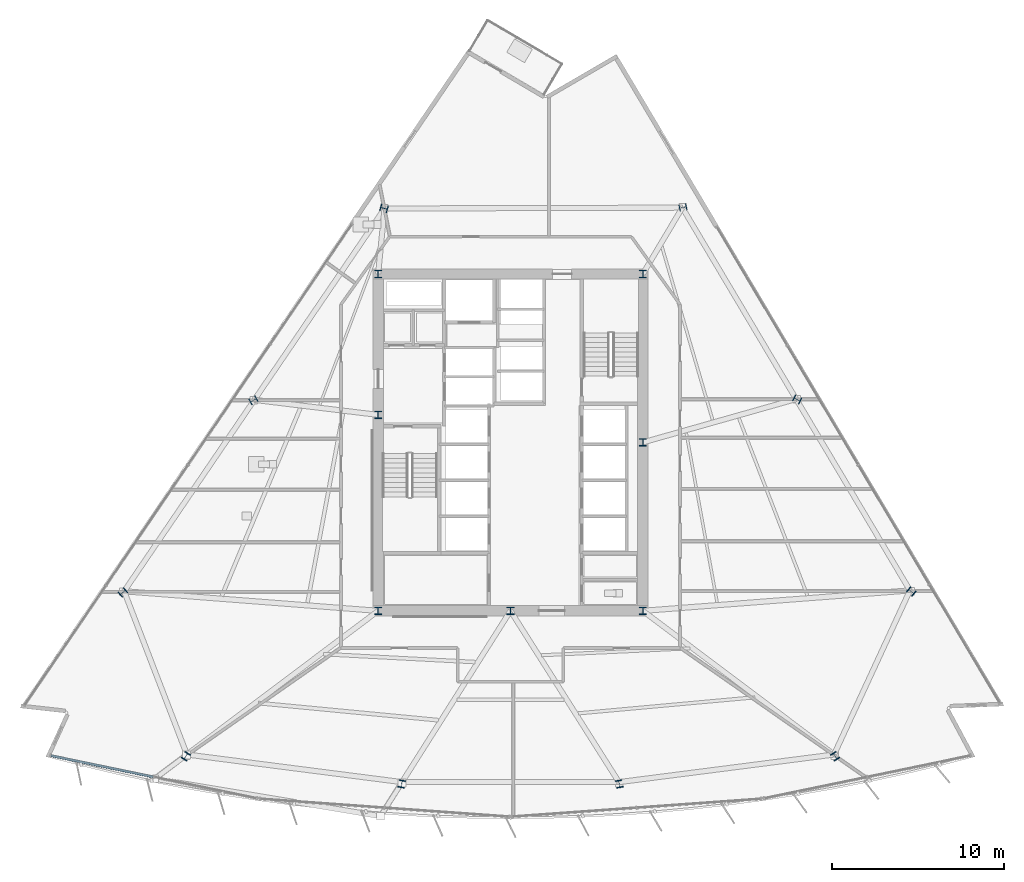
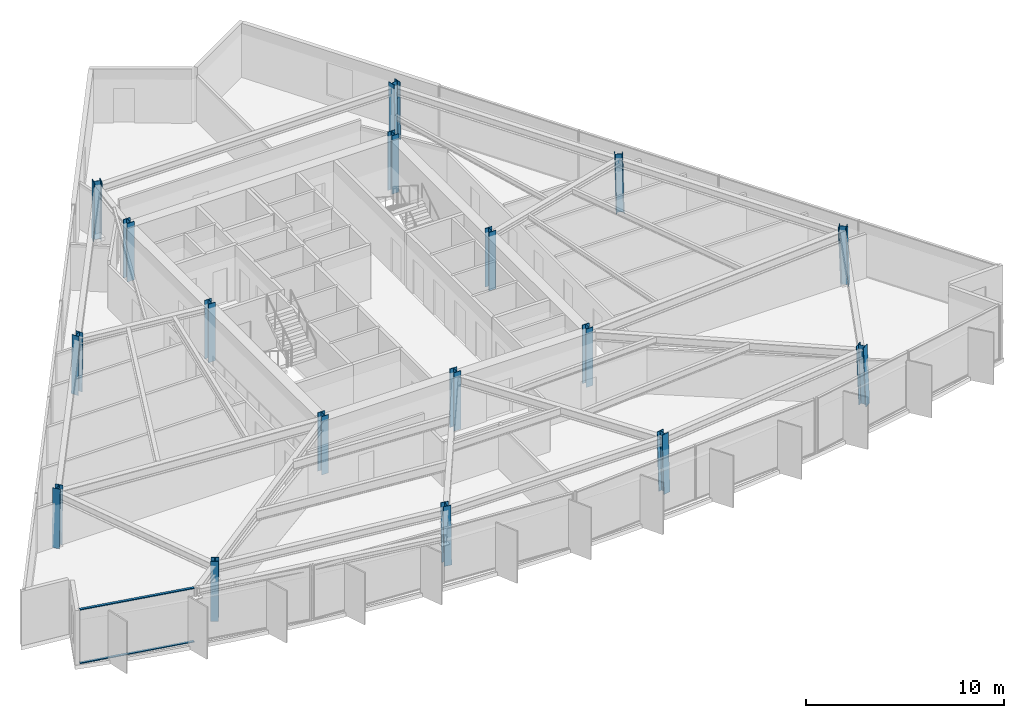
# One storey, part 1 of 15: 17 columns, 2 members, 1 element without a shape of its own.
"""IFC4 building model written with IfcOpenShell, lengths in metres."""

from ifc_helpers import new_model, si_unit, direction, frame, origin, origin_2d, place, context, subcontext, project, spatial, rectangle, i_section, extrude, material, material_profile, profile_set, type_object, element, aggregate, save


model = new_model("IFC4")

# Units and contexts
model_context = context("Model", 3, precision=1e-05, world=origin(), true_north=direction((0.0, 1.0)))
body_context = subcontext(model_context, "Body", "Model", "MODEL_VIEW")
ifc_project = project(units=[si_unit("LENGTHUNIT", "METRE"), si_unit("AREAUNIT", "SQUARE_METRE"), si_unit("VOLUMEUNIT", "CUBIC_METRE"), si_unit("PLANEANGLEUNIT", "RADIAN"), si_unit("MASSUNIT", "GRAM", prefix="KILO")], contexts=[model_context])

# Site, building, storey
site_placement = place(None, origin())
site = spatial("IfcSite", under=ifc_project, at=site_placement, CompositionType="ELEMENT")
building_placement = place(site_placement, origin())
building = spatial("IfcBuilding", under=site, at=building_placement, Name="Savorim Split Tower", CompositionType="ELEMENT")
storey_placement = place(building_placement, frame((0.0, 0.0, 100.5)))
storey = spatial("IfcBuildingStorey", under=building, at=storey_placement, Name="L26", CompositionType="ELEMENT", Elevation=100.5)

# Columns
ifc_material_1 = material(Name="Steel S460", Category="steel")
ifc_material_profile_1 = material_profile(ifc_material_1, i_section(OverallWidth=0.408935546875, OverallDepth=0.425048828125, WebThickness=0.020751953125, FlangeThickness=0.033935546875, FilletRadius=0.014892578125, at=origin_2d()), Name="HD 400x421")
ifc_profile_set_1 = profile_set([ifc_material_profile_1], Name="Steel S460")
column_type = type_object("IfcColumnType", Name="COL-HD-421", PredefinedType="COLUMN", material=ifc_profile_set_1)
for number, where, z_axis, x_axis, name in (
    (1, (-7.699951171875, -9.39990234375, 0.0), (0.0, 0.0, 1.0), (1.0, 0.0, 0.0), "L26 Core Structural Column TC-C1"),
    (2, (7.699951171875, -9.39990234375, 0.0), (0.0, 0.0, 1.0), (1.0, 0.0, 0.0), "L26 Core Structural Column TC-C2"),
    (3, (7.699951171875, 10.199951171875, 0.0), (0.0, 0.0, 1.0), (1.0, 0.0, 0.0), "L26 Core Structural Column TC-C3"),
    (4, (-7.699951171875, 10.199951171875, 0.0), (0.0, 0.0, 1.0), (1.0, 0.0, 0.0), "L26 Core Structural Column TC-C4"),
    (5, (0.0, -9.39990234375, 0.0), (0.0, 0.0, 1.0), (1.0, 0.0, 0.0), "L26 Core Structural Column TC-C5"),
    (6, (7.699951171875, 0.39990234375, 0.0), (0.0, 0.0, 1.0), (1.0, 0.0, 0.0), "L26 Core Structural Column TC-C6"),
    (7, (-7.699951171875, 2.0, 0.0), (0.0, 0.0, 1.0), (1.0, 0.0, 0.0), "L26 Core Structural Column TC-C7"),
):
    element("IfcColumn", number, at=place(storey_placement, frame(where, z_axis=z_axis, x_axis=x_axis)), inside=storey, type_object=column_type, Name=name, PredefinedType="COLUMN", context=body_context, shape_type="SweptSolid", body=[
        extrude(i_section(OverallWidth=0.408935546875, OverallDepth=0.425048828125, WebThickness=0.020751953125, FlangeThickness=0.033935546875, FilletRadius=0.014892578125, at=origin_2d()), origin(), (0.0, 0.0, 1.0), 3.60009765625),
    ])
column_1_placement = place(storey_placement, frame((-18.8994140625, -17.878662109375, 0.005615234375), z_axis=(0.020664238418, 0.033511412961, 0.999224686671), x_axis=(-0.851183725565, 0.524867855115, 0.0)))
element("IfcColumn", 8, at=column_1_placement, inside=storey, type_object=column_type, Name="L26 Tapered Perimeter Column PC-S1", PredefinedType="COLUMN", context=body_context, shape_type="SweptSolid", body=[
    extrude(i_section(OverallWidth=0.408935546875, OverallDepth=0.425048828125, WebThickness=0.020751953125, FlangeThickness=0.033935546875, FilletRadius=0.014892578125, at=origin_2d()), origin(), (0.0, 0.0, 1.0), 3.591552734375),
])
for number, where, z_axis, x_axis, name in (
    (9, (-6.333984375, -19.49169921875, 0.005615234375), (0.006866324617, 0.035215407439, 0.999356157066), (-0.981516643497, 0.191376797284, 0.0), "L26 Tapered Perimeter Column PC-S2"),
    (10, (6.333984375, -19.49169921875, 0.005615234375), (-0.006866324617, 0.035215407439, 0.999356157066), (-0.981516643497, -0.191376797284, 0.0), "L26 Tapered Perimeter Column PC-S3"),
):
    element("IfcColumn", number, at=place(storey_placement, frame(where, z_axis=z_axis, x_axis=x_axis)), inside=storey, type_object=column_type, Name=name, PredefinedType="COLUMN", context=body_context, shape_type="SweptSolid", body=[
        extrude(i_section(OverallWidth=0.408935546875, OverallDepth=0.425048828125, WebThickness=0.020751953125, FlangeThickness=0.033935546875, FilletRadius=0.014892578125, at=origin_2d()), origin(), (0.0, 0.0, 1.0), 3.591064453125),
    ])
column_2_placement = place(storey_placement, frame((18.8994140625, -17.878662109375, 0.005615234375), z_axis=(-0.020664238418, 0.033511412961, 0.999224686671), x_axis=(-0.851183725565, -0.524867855115, 0.0)))
element("IfcColumn", 11, at=column_2_placement, inside=storey, type_object=column_type, Name="L26 Tapered Perimeter Column PC-S4", PredefinedType="COLUMN", context=body_context, shape_type="SweptSolid", body=[
    extrude(i_section(OverallWidth=0.408935546875, OverallDepth=0.425048828125, WebThickness=0.020751953125, FlangeThickness=0.033935546875, FilletRadius=0.014892578125, at=origin_2d()), origin(), (0.0, 0.0, 1.0), 3.591552734375),
])
column_3_placement = place(storey_placement, frame((23.333984375, -8.288818359375, 0.005615234375), z_axis=(-0.026039494941, 0.021620259507, 0.999427090428), x_axis=(-0.638800249892, -0.769372628015, 0.0)))
element("IfcColumn", 12, at=column_3_placement, inside=storey, type_object=column_type, Name="L26 Tapered Perimeter Column PC-E1", PredefinedType="COLUMN", context=body_context, shape_type="SweptSolid", body=[
    extrude(i_section(OverallWidth=0.408935546875, OverallDepth=0.425048828125, WebThickness=0.020751953125, FlangeThickness=0.033935546875, FilletRadius=0.014892578125, at=origin_2d()), origin(), (0.0, 0.0, 1.0), 3.5908203125),
])
column_4_placement = place(storey_placement, frame((16.687255859375, 2.88916015625, 0.005615234375), z_axis=(-0.018907314261, 0.009589680974, 0.999775250487), x_axis=(-0.452339157861, -0.891845999187, 0.0)))
element("IfcColumn", 13, at=column_4_placement, inside=storey, type_object=column_type, Name="L26 Tapered Perimeter Column PC-E2", PredefinedType="COLUMN", context=body_context, shape_type="SweptSolid", body=[
    extrude(i_section(OverallWidth=0.408935546875, OverallDepth=0.425048828125, WebThickness=0.020751953125, FlangeThickness=0.033935546875, FilletRadius=0.014892578125, at=origin_2d()), origin(), (0.0, 0.0, 1.0), 3.589599609375),
])
for number, where, z_axis, x_axis, name in (
    (14, (10.04052734375, 14.0673828125, 0.005615234375), (-0.011767853257, -0.00258484638, 0.999927415465), (0.214538664031, -0.976715496773, 0.0), "L26 Tapered Perimeter Column PC-E3"),
    (15, (-7.358642578125, 14.0185546875, 0.005615234375), (0.00877514453, -0.002516901919, 0.999958330153), (0.275705143097, 0.961242255662, 0.0), "L26 Tapered Perimeter Column PC-W1"),
):
    element("IfcColumn", number, at=place(storey_placement, frame(where, z_axis=z_axis, x_axis=x_axis)), inside=storey, type_object=column_type, Name=name, PredefinedType="COLUMN", context=body_context, shape_type="SweptSolid", body=[
        extrude(i_section(OverallWidth=0.408935546875, OverallDepth=0.425048828125, WebThickness=0.020751953125, FlangeThickness=0.033935546875, FilletRadius=0.014892578125, at=origin_2d()), origin(), (0.0, 0.0, 1.0), 3.589111328125),
    ])
column_5_placement = place(storey_placement, frame((-14.962890625, 2.84033203125, 0.005615234375), z_axis=(0.017003561856, 0.009590008887, 0.99980943715), x_axis=(-0.491253415567, 0.871016694268, 0.0)))
element("IfcColumn", 16, at=column_5_placement, inside=storey, type_object=column_type, Name="L26 Tapered Perimeter Column PC-W2", PredefinedType="COLUMN", context=body_context, shape_type="SweptSolid", body=[
    extrude(i_section(OverallWidth=0.408935546875, OverallDepth=0.425048828125, WebThickness=0.020751953125, FlangeThickness=0.033935546875, FilletRadius=0.014892578125, at=origin_2d()), origin(), (0.0, 0.0, 1.0), 3.589599609375),
])
column_6_placement = place(storey_placement, frame((-22.567138671875, -8.337646484375, 0.005615234375), z_axis=(0.025224163578, 0.021620711639, 0.999447990843), x_axis=(-0.650791373456, 0.759256602365, 0.0)))
element("IfcColumn", 17, at=column_6_placement, inside=storey, type_object=column_type, Name="L26 Tapered Perimeter Column PC-W3", PredefinedType="COLUMN", context=body_context, shape_type="SweptSolid", body=[
    extrude(i_section(OverallWidth=0.408935546875, OverallDepth=0.425048828125, WebThickness=0.020751953125, FlangeThickness=0.033935546875, FilletRadius=0.014892578125, at=origin_2d()), origin(), (0.0, 0.0, 1.0), 3.5908203125),
])

# Curtain wall, members
ifc_material_2 = material(Name="Dark Ceramic-Fritted Insulated Glass", Category="glass")
curtain_wall_type = type_object("IfcCurtainWallType", Name="CW-TWR-FRIT-A", PredefinedType="NOTDEFINED", material=ifc_material_2)
curtain_wall_placement = place(storey_placement, origin())
curtain_wall = element("IfcCurtainWall", 18, at=curtain_wall_placement, inside=storey, type_object=curtain_wall_type, Name="L26 Curtain Wall CW-L26-SF1", PredefinedType="NOTDEFINED")
ifc_material_3 = material(Name="Charcoal Anodised Aluminium", Category="aluminium")
ifc_material_profile_2 = material_profile(ifc_material_3, rectangle(XDim=0.139892578125, YDim=0.054931640625, at=origin_2d()), Name="ALU-T 140x55")
ifc_profile_set_2 = profile_set([ifc_material_profile_2], Name="Charcoal Anodised Aluminium")
member_type = type_object("IfcMemberType", Name="CWT-140x55", PredefinedType="USERDEFINED", material=ifc_profile_set_2)
member_1_placement = place(storey_placement, frame((-26.7333984375, -17.82373046875, 0.027587890625), z_axis=(0.97913534694, -0.203209183781, 0.0), x_axis=(0.203209183781, 0.97913534694, 0.0)))
member_1 = element("IfcMember", 19, at=member_1_placement, type_object=member_type, Name="CW-02 transom 1.1", ObjectType="TRANSOM", PredefinedType="USERDEFINED", context=body_context, shape_type="SweptSolid", body=[
    extrude(rectangle(XDim=0.139892578125, YDim=0.054931640625, at=origin_2d()), origin(), (0.0, 0.0, 1.0), 6.072021484375),
])
member_2_placement = place(storey_placement, frame((-26.7333984375, -17.82373046875, 3.322509765625), z_axis=(0.97913534694, -0.203209183781, 0.0), x_axis=(0.203209183781, 0.97913534694, 0.0)))
member_2 = element("IfcMember", 20, at=member_2_placement, type_object=member_type, Name="CW-02 transom 1.2", ObjectType="TRANSOM", PredefinedType="USERDEFINED", context=body_context, shape_type="SweptSolid", body=[
    extrude(rectangle(XDim=0.139892578125, YDim=0.054931640625, at=origin_2d()), origin(), (0.0, 0.0, 1.0), 6.072021484375),
])
aggregate(curtain_wall, [member_1, member_2])

save(model, "model.ifc")
